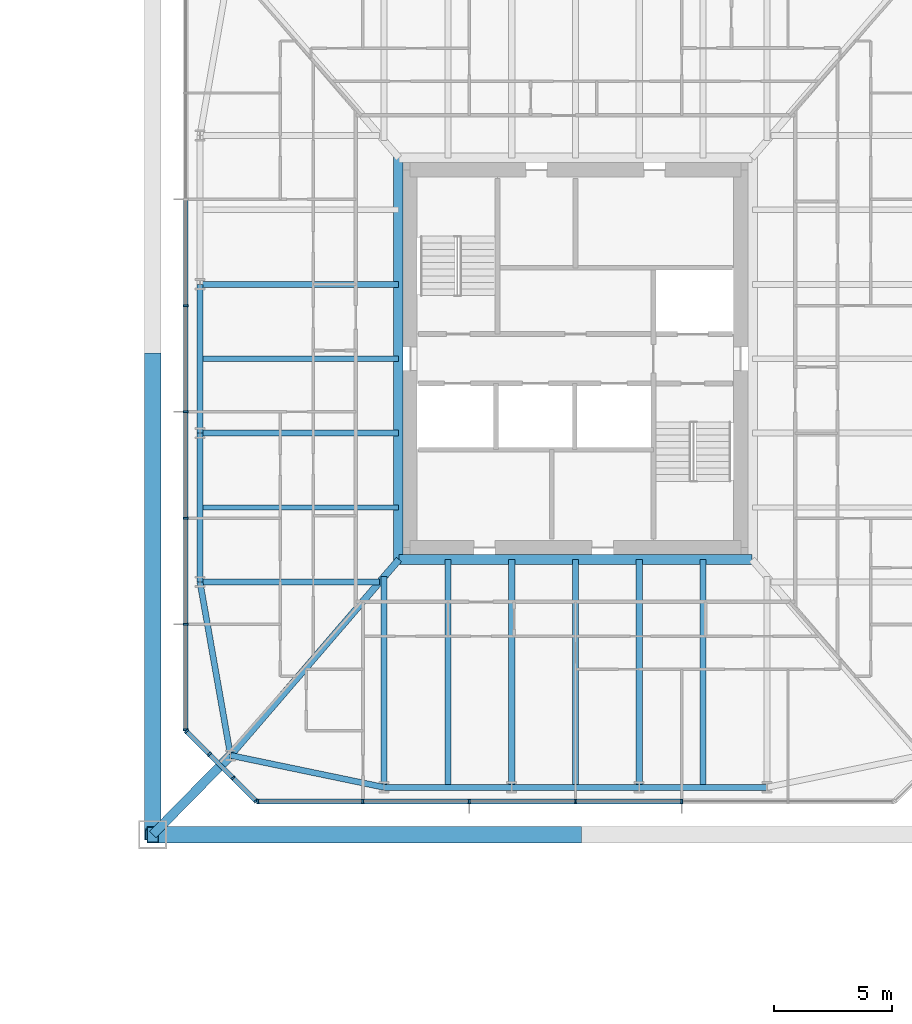
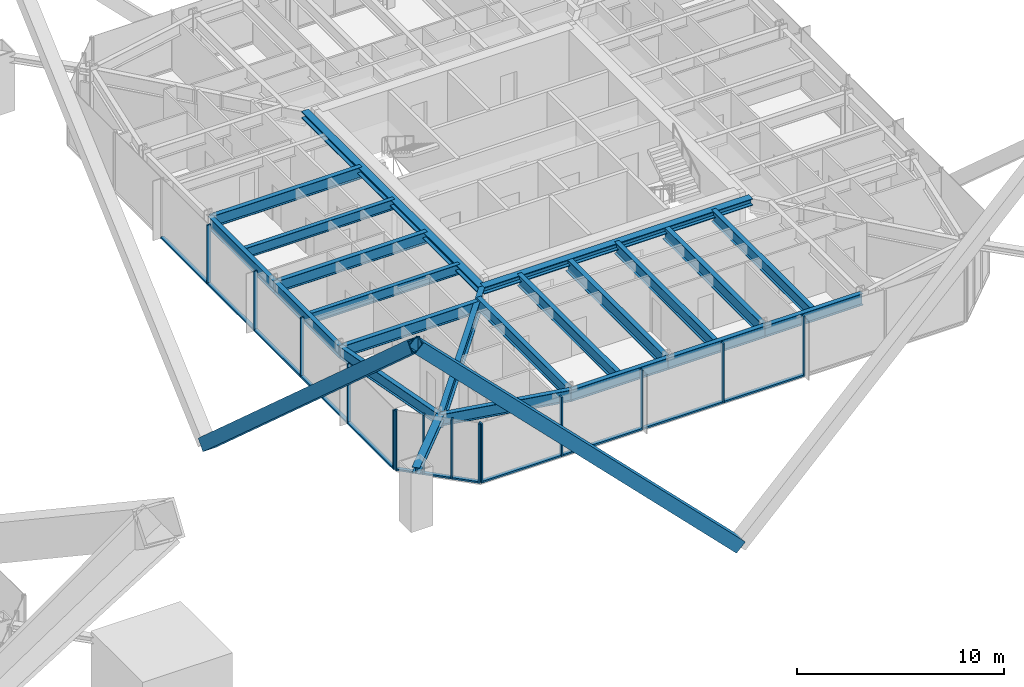
# One storey, part 9 of 27: 29 members, 21 beams, 3 elements without a shape of their own.
"""IFC4 building model written with IfcOpenShell, lengths in metres."""

from ifc_helpers import new_model, si_unit, direction, frame, origin, origin_2d, place, context, subcontext, project, spatial, rectangle, hollow_rectangle, i_section, extrude, material, material_profile, profile_set, type_object, element, aggregate, save


model = new_model("IFC4")

# Units and contexts
model_context = context("Model", 3, precision=1e-05, world=origin(), true_north=direction((0.0, 1.0)))
body_context = subcontext(model_context, "Body", "Model", "MODEL_VIEW")
ifc_project = project(units=[si_unit("LENGTHUNIT", "METRE"), si_unit("AREAUNIT", "SQUARE_METRE"), si_unit("VOLUMEUNIT", "CUBIC_METRE"), si_unit("PLANEANGLEUNIT", "RADIAN"), si_unit("MASSUNIT", "GRAM", prefix="KILO")], contexts=[model_context])

# Site, building, storey
site_placement = place(None, origin())
site = spatial("IfcSite", under=ifc_project, at=site_placement, CompositionType="ELEMENT")
building_placement = place(site_placement, origin())
building = spatial("IfcBuilding", under=site, at=building_placement, Name="Iwan Alto Co-Living Towers", CompositionType="ELEMENT")
storey_placement = place(building_placement, frame((0.0, 0.0, 25.5)))
storey = spatial("IfcBuildingStorey", under=building, at=storey_placement, Name="L06", CompositionType="ELEMENT", Elevation=25.5)

# Curtain wall, members
ifc_material_1 = material(Name="Bronze aluminium unitised frame", Category="aluminium")
curtain_wall_type_1 = type_object("IfcCurtainWallType", Name="CURTAIN WALL CW-C", PredefinedType="NOTDEFINED", material=ifc_material_1)
curtain_wall_1_placement = place(storey_placement, origin())
curtain_wall_1 = element("IfcCurtainWall", 1, at=curtain_wall_1_placement, inside=storey, type_object=curtain_wall_type_1, Name="T2 curtain wall S L06", PredefinedType="NOTDEFINED")
ifc_material_2 = material(Name="Aluminium 6063-T6 bronze anodised", Category="aluminium")
ifc_material_profile_1 = material_profile(ifc_material_2, rectangle(XDim=0.199951171875, YDim=0.080078125, at=origin_2d()), Name="AL 80X200")
ifc_profile_set_1 = profile_set([ifc_material_profile_1], Name="Aluminium 6063-T6 bronze anodised")
member_type_1 = type_object("IfcMemberType", Name="CW-C MULLION 80X200", PredefinedType="MULLION", material=ifc_profile_set_1)
member_1_placement = place(storey_placement, frame((49.5400390625, -18.75, 0.0), z_axis=(0.0, 0.0, 1.0), x_axis=(0.0, 1.0, 0.0)))
member_1 = element("IfcMember", 2, at=member_1_placement, type_object=member_type_1, Name="CW-C mullion 1", PredefinedType="MULLION", context=body_context, shape_type="SweptSolid", body=[
    extrude(rectangle(XDim=0.199951171875, YDim=0.080078125, at=origin_2d()), origin(), (0.0, 0.0, 1.0), 3.5),
])
member_2_placement = place(storey_placement, frame((54.0, -18.75, 0.0), z_axis=(0.0, 0.0, 1.0), x_axis=(0.0, 1.0, 0.0)))
member_2 = element("IfcMember", 3, at=member_2_placement, type_object=member_type_1, Name="CW-C mullion 2", PredefinedType="MULLION", context=body_context, shape_type="SweptSolid", body=[
    extrude(rectangle(XDim=0.199951171875, YDim=0.080078125, at=origin_2d()), origin(), (0.0, 0.0, 1.0), 3.5),
])
member_3_placement = place(storey_placement, frame((58.5, -18.75, 0.0), z_axis=(0.0, 0.0, 1.0), x_axis=(0.0, 1.0, 0.0)))
member_3 = element("IfcMember", 4, at=member_3_placement, type_object=member_type_1, Name="CW-C mullion 3", PredefinedType="MULLION", context=body_context, shape_type="SweptSolid", body=[
    extrude(rectangle(XDim=0.199951171875, YDim=0.080078125, at=origin_2d()), origin(), (0.0, 0.0, 1.0), 3.5),
])
member_4_placement = place(storey_placement, frame((63.0, -18.75, 0.0), z_axis=(0.0, 0.0, 1.0), x_axis=(0.0, 1.0, 0.0)))
member_4 = element("IfcMember", 5, at=member_4_placement, type_object=member_type_1, Name="CW-C mullion 4", PredefinedType="MULLION", context=body_context, shape_type="SweptSolid", body=[
    extrude(rectangle(XDim=0.199951171875, YDim=0.080078125, at=origin_2d()), origin(), (0.0, 0.0, 1.0), 3.5),
])
member_5_placement = place(storey_placement, frame((67.5, -18.75, 0.0), z_axis=(0.0, 0.0, 1.0), x_axis=(0.0, 1.0, 0.0)))
member_5 = element("IfcMember", 6, at=member_5_placement, type_object=member_type_1, Name="CW-C mullion 5", PredefinedType="MULLION", context=body_context, shape_type="SweptSolid", body=[
    extrude(rectangle(XDim=0.199951171875, YDim=0.080078125, at=origin_2d()), origin(), (0.0, 0.0, 1.0), 3.5),
])

curtain_wall_2_placement = place(storey_placement, origin())
curtain_wall_2 = element("IfcCurtainWall", 7, at=curtain_wall_2_placement, inside=storey, type_object=curtain_wall_type_1, Name="T2 curtain wall W L06", PredefinedType="NOTDEFINED")
member_6_placement = place(storey_placement, frame((46.5, 2.25, 0.0), z_axis=(0.0, 0.0, 1.0), x_axis=(1.0, 0.0, 0.0)))
member_6 = element("IfcMember", 8, at=member_6_placement, type_object=member_type_1, Name="CW-C mullion 4", PredefinedType="MULLION", context=body_context, shape_type="SweptSolid", body=[
    extrude(rectangle(XDim=0.199951171875, YDim=0.080078125, at=origin_2d()), origin(), (0.0, 0.0, 1.0), 3.5),
])
member_7_placement = place(storey_placement, frame((46.5, -2.25, 0.0), z_axis=(0.0, 0.0, 1.0), x_axis=(1.0, 0.0, 0.0)))
member_7 = element("IfcMember", 9, at=member_7_placement, type_object=member_type_1, Name="CW-C mullion 5", PredefinedType="MULLION", context=body_context, shape_type="SweptSolid", body=[
    extrude(rectangle(XDim=0.199951171875, YDim=0.080078125, at=origin_2d()), origin(), (0.0, 0.0, 1.0), 3.5),
])
member_8_placement = place(storey_placement, frame((46.5, -6.75, 0.0), z_axis=(0.0, 0.0, 1.0), x_axis=(1.0, 0.0, 0.0)))
member_8 = element("IfcMember", 10, at=member_8_placement, type_object=member_type_1, Name="CW-C mullion 6", PredefinedType="MULLION", context=body_context, shape_type="SweptSolid", body=[
    extrude(rectangle(XDim=0.199951171875, YDim=0.080078125, at=origin_2d()), origin(), (0.0, 0.0, 1.0), 3.5),
])
member_9_placement = place(storey_placement, frame((46.5, -11.25, 0.0), z_axis=(0.0, 0.0, 1.0), x_axis=(1.0, 0.0, 0.0)))
member_9 = element("IfcMember", 11, at=member_9_placement, type_object=member_type_1, Name="CW-C mullion 7", PredefinedType="MULLION", context=body_context, shape_type="SweptSolid", body=[
    extrude(rectangle(XDim=0.199951171875, YDim=0.080078125, at=origin_2d()), origin(), (0.0, 0.0, 1.0), 3.5),
])
member_10_placement = place(storey_placement, frame((46.5, -15.7099609375, 0.0), z_axis=(0.0, 0.0, 1.0), x_axis=(1.0, 0.0, 0.0)))
member_10 = element("IfcMember", 12, at=member_10_placement, type_object=member_type_1, Name="CW-C mullion 8", PredefinedType="MULLION", context=body_context, shape_type="SweptSolid", body=[
    extrude(rectangle(XDim=0.199951171875, YDim=0.080078125, at=origin_2d()), origin(), (0.0, 0.0, 1.0), 3.5),
])

# Member
ifc_material_3 = material(Name="Aluminium 6063-T6 bronze anodised", Category="aluminium")
ifc_material_profile_2 = material_profile(ifc_material_3, rectangle(XDim=0.199951171875, YDim=0.10009765625, at=origin_2d()), Name="AL 200X100")
ifc_profile_set_2 = profile_set([ifc_material_profile_2], Name="Aluminium 6063-T6 bronze anodised")
member_type_2 = type_object("IfcMemberType", Name="CW-C TRANSOM 200X100", PredefinedType="USERDEFINED", material=ifc_profile_set_2)
member_11_placement = place(storey_placement, frame((49.580078125, -18.75, 0.050048828125), z_axis=(1.0, 0.0, 0.0), x_axis=(0.0, 1.0, 0.0)))
member_11 = element("IfcMember", 13, at=member_11_placement, type_object=member_type_2, Name="CW-C transom 1.1", ObjectType="TRANSOM", PredefinedType="USERDEFINED", context=body_context, shape_type="SweptSolid", body=[
    extrude(rectangle(XDim=0.199951171875, YDim=0.10009765625, at=origin_2d()), origin(), (0.0, 0.0, 1.0), 4.3798828125),
])

member_12_placement = place(storey_placement, frame((54.0400390625, -18.75, 0.050048828125), z_axis=(1.0, 0.0, 0.0), x_axis=(0.0, 1.0, 0.0)))
member_12 = element("IfcMember", 14, at=member_12_placement, type_object=member_type_2, Name="CW-C transom 2.1", ObjectType="TRANSOM", PredefinedType="USERDEFINED", context=body_context, shape_type="SweptSolid", body=[
    extrude(rectangle(XDim=0.199951171875, YDim=0.10009765625, at=origin_2d()), origin(), (0.0, 0.0, 1.0), 4.419921875),
])

member_13_placement = place(storey_placement, frame((58.5400390625, -18.75, 0.050048828125), z_axis=(1.0, 0.0, 0.0), x_axis=(0.0, 1.0, 0.0)))
member_13 = element("IfcMember", 15, at=member_13_placement, type_object=member_type_2, Name="CW-C transom 3.1", ObjectType="TRANSOM", PredefinedType="USERDEFINED", context=body_context, shape_type="SweptSolid", body=[
    extrude(rectangle(XDim=0.199951171875, YDim=0.10009765625, at=origin_2d()), origin(), (0.0, 0.0, 1.0), 4.419921875),
])

member_14_placement = place(storey_placement, frame((63.0400390625, -18.75, 0.050048828125), z_axis=(1.0, 0.0, 0.0), x_axis=(0.0, 1.0, 0.0)))
member_14 = element("IfcMember", 16, at=member_14_placement, type_object=member_type_2, Name="CW-C transom 4.1", ObjectType="TRANSOM", PredefinedType="USERDEFINED", context=body_context, shape_type="SweptSolid", body=[
    extrude(rectangle(XDim=0.199951171875, YDim=0.10009765625, at=origin_2d()), origin(), (0.0, 0.0, 1.0), 4.419921875),
])

aggregate(curtain_wall_1, [member_1, member_2, member_3, member_4, member_5, member_11, member_12, member_13, member_14])

member_15_placement = place(storey_placement, frame((46.5, 6.7099609375, 0.050048828125), z_axis=(0.0, -1.0, 0.0), x_axis=(1.0, 0.0, 0.0)))
member_15 = element("IfcMember", 17, at=member_15_placement, type_object=member_type_2, Name="CW-C transom 3.1", ObjectType="TRANSOM", PredefinedType="USERDEFINED", context=body_context, shape_type="SweptSolid", body=[
    extrude(rectangle(XDim=0.199951171875, YDim=0.10009765625, at=origin_2d()), origin(), (0.0, 0.0, 1.0), 4.419921875),
])

member_16_placement = place(storey_placement, frame((46.5, 2.2099609375, 0.050048828125), z_axis=(0.0, -1.0, 0.0), x_axis=(1.0, 0.0, 0.0)))
member_16 = element("IfcMember", 18, at=member_16_placement, type_object=member_type_2, Name="CW-C transom 4.1", ObjectType="TRANSOM", PredefinedType="USERDEFINED", context=body_context, shape_type="SweptSolid", body=[
    extrude(rectangle(XDim=0.199951171875, YDim=0.10009765625, at=origin_2d()), origin(), (0.0, 0.0, 1.0), 4.419921875),
])

member_17_placement = place(storey_placement, frame((46.5, -2.2900390625, 0.050048828125), z_axis=(0.0, -1.0, 0.0), x_axis=(1.0, 0.0, 0.0)))
member_17 = element("IfcMember", 19, at=member_17_placement, type_object=member_type_2, Name="CW-C transom 5.1", ObjectType="TRANSOM", PredefinedType="USERDEFINED", context=body_context, shape_type="SweptSolid", body=[
    extrude(rectangle(XDim=0.199951171875, YDim=0.10009765625, at=origin_2d()), origin(), (0.0, 0.0, 1.0), 4.419921875),
])

member_18_placement = place(storey_placement, frame((46.5, -6.7900390625, 0.050048828125), z_axis=(0.0, -1.0, 0.0), x_axis=(1.0, 0.0, 0.0)))
member_18 = element("IfcMember", 20, at=member_18_placement, type_object=member_type_2, Name="CW-C transom 6.1", ObjectType="TRANSOM", PredefinedType="USERDEFINED", context=body_context, shape_type="SweptSolid", body=[
    extrude(rectangle(XDim=0.199951171875, YDim=0.10009765625, at=origin_2d()), origin(), (0.0, 0.0, 1.0), 4.419921875),
])

member_19_placement = place(storey_placement, frame((46.5, -11.2900390625, 0.050048828125), z_axis=(0.0, -1.0, 0.0), x_axis=(1.0, 0.0, 0.0)))
member_19 = element("IfcMember", 21, at=member_19_placement, type_object=member_type_2, Name="CW-C transom 7.1", ObjectType="TRANSOM", PredefinedType="USERDEFINED", context=body_context, shape_type="SweptSolid", body=[
    extrude(rectangle(XDim=0.199951171875, YDim=0.10009765625, at=origin_2d()), origin(), (0.0, 0.0, 1.0), 4.3798828125),
])

aggregate(curtain_wall_2, [member_6, member_7, member_8, member_9, member_10, member_15, member_16, member_17, member_18, member_19])

# Curtain wall, members
ifc_material_4 = material(Name="Bronze aluminium unitised frame", Category="aluminium")
curtain_wall_type_2 = type_object("IfcCurtainWallType", Name="CURTAIN WALL CW-D", PredefinedType="NOTDEFINED", material=ifc_material_4)
curtain_wall_3_placement = place(storey_placement, origin())
curtain_wall_3 = element("IfcCurtainWall", 22, at=curtain_wall_3_placement, inside=storey, type_object=curtain_wall_type_2, Name="T2 chamfer curtain wall SW L06", PredefinedType="NOTDEFINED")
ifc_material_5 = material(Name="Aluminium 6063-T6 bronze anodised", Category="aluminium")
ifc_material_profile_3 = material_profile(ifc_material_5, rectangle(XDim=0.199951171875, YDim=0.080078125, at=origin_2d()), Name="AL 80X200")
ifc_profile_set_3 = profile_set([ifc_material_profile_3], Name="Aluminium 6063-T6 bronze anodised")
member_type_3 = type_object("IfcMemberType", Name="CW-D MULLION 80X200", PredefinedType="MULLION", material=ifc_profile_set_3)
member_20_placement = place(storey_placement, frame((46.5283203125, -15.7783203125, 0.0), z_axis=(0.0, 0.0, 1.0), x_axis=(0.707106781187, 0.707106781187, 0.0)))
member_20 = element("IfcMember", 23, at=member_20_placement, type_object=member_type_3, Name="CW-D mullion 1", PredefinedType="MULLION", context=body_context, shape_type="SweptSolid", body=[
    extrude(rectangle(XDim=0.199951171875, YDim=0.080078125, at=origin_2d()), origin(), (0.0, 0.0, 1.0), 3.5),
])
member_21_placement = place(storey_placement, frame((47.5, -16.75, 0.0), z_axis=(0.0, 0.0, 1.0), x_axis=(0.707106781187, 0.707106781187, 0.0)))
member_21 = element("IfcMember", 24, at=member_21_placement, type_object=member_type_3, Name="CW-D mullion 2", PredefinedType="MULLION", context=body_context, shape_type="SweptSolid", body=[
    extrude(rectangle(XDim=0.199951171875, YDim=0.080078125, at=origin_2d()), origin(), (0.0, 0.0, 1.0), 3.5),
])
member_22_placement = place(storey_placement, frame((48.5, -17.75, 0.0), z_axis=(0.0, 0.0, 1.0), x_axis=(0.707106781187, 0.707106781187, 0.0)))
member_22 = element("IfcMember", 25, at=member_22_placement, type_object=member_type_3, Name="CW-D mullion 3", PredefinedType="MULLION", context=body_context, shape_type="SweptSolid", body=[
    extrude(rectangle(XDim=0.199951171875, YDim=0.080078125, at=origin_2d()), origin(), (0.0, 0.0, 1.0), 3.5),
])
member_23_placement = place(storey_placement, frame((49.4716796875, -18.7216796875, 0.0), z_axis=(0.0, 0.0, 1.0), x_axis=(0.707106781187, 0.707106781187, 0.0)))
member_23 = element("IfcMember", 26, at=member_23_placement, type_object=member_type_3, Name="CW-D mullion 4", PredefinedType="MULLION", context=body_context, shape_type="SweptSolid", body=[
    extrude(rectangle(XDim=0.199951171875, YDim=0.080078125, at=origin_2d()), origin(), (0.0, 0.0, 1.0), 3.5),
])
ifc_material_6 = material(Name="Aluminium 6063-T6 bronze anodised", Category="aluminium")
ifc_material_profile_4 = material_profile(ifc_material_6, rectangle(XDim=0.199951171875, YDim=0.10009765625, at=origin_2d()), Name="AL 200X100")
ifc_profile_set_4 = profile_set([ifc_material_profile_4], Name="Aluminium 6063-T6 bronze anodised")
member_type_4 = type_object("IfcMemberType", Name="CW-D TRANSOM 200X100", PredefinedType="USERDEFINED", material=ifc_profile_set_4)
member_24_placement = place(storey_placement, frame((46.556640625, -15.806640625, 0.050048828125), z_axis=(0.707106781187, -0.707106781187, 0.0), x_axis=(0.707106781187, 0.707106781187, 0.0)))
member_24 = element("IfcMember", 27, at=member_24_placement, type_object=member_type_4, Name="CW-D transom 1.1", ObjectType="TRANSOM", PredefinedType="USERDEFINED", context=body_context, shape_type="SweptSolid", body=[
    extrude(rectangle(XDim=0.199951171875, YDim=0.10009765625, at=origin_2d()), origin(), (0.0, 0.0, 1.0), 1.2939453125),
])
member_25_placement = place(storey_placement, frame((47.5283203125, -16.7783203125, 0.050048828125), z_axis=(0.707106781187, -0.707106781187, 0.0), x_axis=(0.707106781187, 0.707106781187, 0.0)))
member_25 = element("IfcMember", 28, at=member_25_placement, type_object=member_type_4, Name="CW-D transom 2.1", ObjectType="TRANSOM", PredefinedType="USERDEFINED", context=body_context, shape_type="SweptSolid", body=[
    extrude(rectangle(XDim=0.199951171875, YDim=0.10009765625, at=origin_2d()), origin(), (0.0, 0.0, 1.0), 1.334228515625),
])
member_26_placement = place(storey_placement, frame((48.5283203125, -17.7783203125, 0.050048828125), z_axis=(0.707106781187, -0.707106781187, 0.0), x_axis=(0.707106781187, 0.707106781187, 0.0)))
member_26 = element("IfcMember", 29, at=member_26_placement, type_object=member_type_4, Name="CW-D transom 3.1", ObjectType="TRANSOM", PredefinedType="USERDEFINED", context=body_context, shape_type="SweptSolid", body=[
    extrude(rectangle(XDim=0.199951171875, YDim=0.10009765625, at=origin_2d()), origin(), (0.0, 0.0, 1.0), 1.2939453125),
])
aggregate(curtain_wall_3, [member_20, member_21, member_22, member_23, member_24, member_25, member_26])

# Beams
ifc_material_7 = material(Name="Steel ASTM A992 Gr 50", Category="steel")
ifc_material_profile_5 = material_profile(ifc_material_7, i_section(OverallWidth=0.40380859375, OverallDepth=0.406494140625, WebThickness=0.027099609375, FlangeThickness=0.043701171875, at=origin_2d()), Name="W14X233")
ifc_profile_set_5 = profile_set([ifc_material_profile_5], Name="Steel ASTM A992 Gr 50")
beam_type_1 = type_object("IfcBeamType", Name="T2 CORE LEDGER BEAM W14X233", PredefinedType="BEAM", material=ifc_profile_set_5)
beam_1_placement = place(storey_placement, frame((55.5263671875, -8.501953125, 3.06689453125), z_axis=(1.0, 0.0, 0.0), x_axis=(0.0, 1.0, 0.0)))
element("IfcBeam", 30, at=beam_1_placement, inside=storey, type_object=beam_type_1, Name="T2 core ledger beam S L07", PredefinedType="BEAM", context=body_context, shape_type="SweptSolid", body=[
    extrude(i_section(OverallWidth=0.40380859375, OverallDepth=0.406494140625, WebThickness=0.027099609375, FlangeThickness=0.043701171875, at=origin_2d()), origin(), (0.0, 0.0, 1.0), 14.947265625),
])
beam_2_placement = place(storey_placement, frame((55.498046875, 8.534912109375, 3.06689453125), z_axis=(0.0, -1.0, 0.0), x_axis=(1.0, 0.0, 0.0)))
element("IfcBeam", 31, at=beam_2_placement, inside=storey, type_object=beam_type_1, Name="T2 core ledger beam W L07", PredefinedType="BEAM", context=body_context, shape_type="SweptSolid", body=[
    extrude(i_section(OverallWidth=0.40380859375, OverallDepth=0.406494140625, WebThickness=0.027099609375, FlangeThickness=0.043701171875, at=origin_2d()), origin(), (0.0, 0.0, 1.0), 17.06982421875),
])
ifc_material_8 = material(Name="Steel ASTM A992 Gr 50", Category="steel")
ifc_material_profile_6 = material_profile(ifc_material_8, i_section(OverallWidth=0.2919921875, OverallDepth=0.8408203125, WebThickness=0.0146484375, FlangeThickness=0.021728515625, at=origin_2d()), Name="W33X130")
ifc_profile_set_6 = profile_set([ifc_material_profile_6], Name="Steel ASTM A992 Gr 50")
beam_type_2 = type_object("IfcBeamType", Name="T2 CORNER GIRDER W33X130", PredefinedType="BEAM", material=ifc_profile_set_6)
beam_3_placement = place(storey_placement, frame((48.393798828125, -16.797119140625, 2.849609375), z_axis=(0.651972301827, 0.758242782788, 0.0), x_axis=(-0.758242782788, 0.651972301827, 0.0)))
element("IfcBeam", 32, at=beam_3_placement, inside=storey, type_object=beam_type_2, Name="T2 corner girder CSW L07", PredefinedType="BEAM", context=body_context, shape_type="SweptSolid", body=[
    extrude(i_section(OverallWidth=0.2919921875, OverallDepth=0.8408203125, WebThickness=0.0146484375, FlangeThickness=0.021728515625, at=origin_2d()), origin(), (0.0, 0.0, 1.0), 10.93994140625),
])
ifc_material_9 = material(Name="Steel ASTM A992 Gr 50", Category="steel")
ifc_material_profile_7 = material_profile(ifc_material_9, i_section(OverallWidth=0.25390625, OverallDepth=0.683349609375, WebThickness=0.012451171875, FlangeThickness=0.018798828125, at=origin_2d()), Name="W27X94")
ifc_profile_set_7 = profile_set([ifc_material_profile_7], Name="Steel ASTM A992 Gr 50")
beam_type_3 = type_object("IfcBeamType", Name="T2 EDGE BEAM W27X94", PredefinedType="BEAM", material=ifc_profile_set_7)
beam_4_placement = place(storey_placement, frame((48.393798828125, -16.797119140625, 2.928466796875), z_axis=(0.979060119423, -0.203571320564, 0.0), x_axis=(0.203571320564, 0.979060119423, 0.0)))
element("IfcBeam", 33, at=beam_4_placement, inside=storey, type_object=beam_type_3, Name="T2 edge beam CSW L07", PredefinedType="BEAM", context=body_context, shape_type="SweptSolid", body=[
    extrude(i_section(OverallWidth=0.25390625, OverallDepth=0.683349609375, WebThickness=0.012451171875, FlangeThickness=0.018798828125, at=origin_2d()), origin(), (0.0, 0.0, 1.0), 6.645263671875),
])
beam_5_placement = place(storey_placement, frame((54.89990234375, -18.14990234375, 2.928466796875), z_axis=(1.0, 0.0, 0.0), x_axis=(0.0, 1.0, 0.0)))
element("IfcBeam", 34, at=beam_5_placement, inside=storey, type_object=beam_type_3, Name="T2 edge beam S1 L07", PredefinedType="BEAM", context=body_context, shape_type="SweptSolid", body=[
    extrude(i_section(OverallWidth=0.25390625, OverallDepth=0.683349609375, WebThickness=0.012451171875, FlangeThickness=0.018798828125, at=origin_2d()), origin(), (0.0, 0.0, 1.0), 5.400146484375),
])
beam_6_placement = place(storey_placement, frame((60.300048828125, -18.14990234375, 2.928466796875), z_axis=(1.0, 0.0, 0.0), x_axis=(0.0, 1.0, 0.0)))
element("IfcBeam", 35, at=beam_6_placement, inside=storey, type_object=beam_type_3, Name="T2 edge beam S2 L07", PredefinedType="BEAM", context=body_context, shape_type="SweptSolid", body=[
    extrude(i_section(OverallWidth=0.25390625, OverallDepth=0.683349609375, WebThickness=0.012451171875, FlangeThickness=0.018798828125, at=origin_2d()), origin(), (0.0, 0.0, 1.0), 5.39990234375),
])
beam_7_placement = place(storey_placement, frame((65.699951171875, -18.14990234375, 2.928466796875), z_axis=(1.0, 0.0, 0.0), x_axis=(0.0, 1.0, 0.0)))
element("IfcBeam", 36, at=beam_7_placement, inside=storey, type_object=beam_type_3, Name="T2 edge beam S3 L07", PredefinedType="BEAM", context=body_context, shape_type="SweptSolid", body=[
    extrude(i_section(OverallWidth=0.25390625, OverallDepth=0.683349609375, WebThickness=0.012451171875, FlangeThickness=0.018798828125, at=origin_2d()), origin(), (0.0, 0.0, 1.0), 5.400146484375),
])
beam_8_placement = place(storey_placement, frame((47.10009765625, 3.14990234375, 2.928466796875), z_axis=(0.0, -1.0, 0.0), x_axis=(1.0, 0.0, 0.0)))
element("IfcBeam", 37, at=beam_8_placement, inside=storey, type_object=beam_type_3, Name="T2 edge beam W2 L07", PredefinedType="BEAM", context=body_context, shape_type="SweptSolid", body=[
    extrude(i_section(OverallWidth=0.25390625, OverallDepth=0.683349609375, WebThickness=0.012451171875, FlangeThickness=0.018798828125, at=origin_2d()), origin(), (0.0, 0.0, 1.0), 6.2998046875),
])
beam_9_placement = place(storey_placement, frame((47.10009765625, -3.14990234375, 2.928466796875), z_axis=(0.0, -1.0, 0.0), x_axis=(1.0, 0.0, 0.0)))
element("IfcBeam", 38, at=beam_9_placement, inside=storey, type_object=beam_type_3, Name="T2 edge beam W3 L07", PredefinedType="BEAM", context=body_context, shape_type="SweptSolid", body=[
    extrude(i_section(OverallWidth=0.25390625, OverallDepth=0.683349609375, WebThickness=0.012451171875, FlangeThickness=0.018798828125, at=origin_2d()), origin(), (0.0, 0.0, 1.0), 6.300048828125),
])
beam_10_placement = place(storey_placement, frame((47.10009765625, -9.449951171875, 2.928466796875), z_axis=(0.173413807283, -0.98484905008, 0.0), x_axis=(0.98484905008, 0.173413807283, 0.0)))
element("IfcBeam", 39, at=beam_10_placement, inside=storey, type_object=beam_type_3, Name="T2 edge beam W4 L07", PredefinedType="BEAM", context=body_context, shape_type="SweptSolid", body=[
    extrude(i_section(OverallWidth=0.25390625, OverallDepth=0.683349609375, WebThickness=0.012451171875, FlangeThickness=0.018798828125, at=origin_2d()), origin(), (0.0, 0.0, 1.0), 7.460205078125),
])

# Members
ifc_material_10 = material(Name="Steel ASTM A572 Gr 50", Category="steel")
ifc_material_profile_8 = material_profile(ifc_material_10, hollow_rectangle(XDim=0.699951171875, YDim=0.699951171875, WallThickness=0.044921875, at=origin_2d()), Name="BOX 700X700X45")
ifc_profile_set_8 = profile_set([ifc_material_profile_8], Name="Steel ASTM A572 Gr 50")
member_type_5 = type_object("IfcMemberType", Name="T2 MEGA BRACE BOX 700X700X45", PredefinedType="BRACE", material=ifc_profile_set_8)
member_27_placement = place(storey_placement, frame((63.0, -20.14990234375, -7.5), z_axis=(-0.705132454608, 0.0, 0.709075610537), x_axis=(0.0, -1.0, 0.0)))
element("IfcMember", 40, at=member_27_placement, inside=storey, type_object=member_type_5, Name="T2 mega brace Z1A S 2 upper", PredefinedType="BRACE", context=body_context, shape_type="SweptSolid", body=[
    extrude(hollow_rectangle(XDim=0.699951171875, YDim=0.699951171875, WallThickness=0.044921875, at=origin_2d()), origin(), (0.0, 0.0, 1.0), 25.38525390625),
])
member_28_placement = place(storey_placement, frame((45.10009765625, 0.0, -7.5), z_axis=(0.0, -0.745771862138, 0.666201418224), x_axis=(1.0, 0.0, 0.0)))
element("IfcMember", 41, at=member_28_placement, inside=storey, type_object=member_type_5, Name="T2 mega brace Z1A W 1 upper", PredefinedType="BRACE", context=body_context, shape_type="SweptSolid", body=[
    extrude(hollow_rectangle(XDim=0.699951171875, YDim=0.699951171875, WallThickness=0.044921875, at=origin_2d()), origin(), (0.0, 0.0, 1.0), 27.018798828125),
])
ifc_material_11 = material(Name="Steel ASTM A992 Gr 50", Category="steel")
ifc_material_profile_9 = material_profile(ifc_material_11, i_section(OverallWidth=0.393798828125, OverallDepth=0.3759765625, WebThickness=0.017333984375, FlangeThickness=0.027587890625, at=origin_2d()), Name="W14X145")
ifc_profile_set_9 = profile_set([ifc_material_profile_9], Name="Steel ASTM A992 Gr 50")
member_type_6 = type_object("IfcMemberType", Name="T2 MEGA COLUMN FLOOR TIE W14X145", PredefinedType="STRUT", material=ifc_profile_set_9)
member_29_placement = place(storey_placement, frame((45.10009765625, -20.14990234375, 3.08203125), z_axis=(0.700793469544, 0.71336422187, 0.0), x_axis=(-0.71336422187, 0.700793469544, 0.0)))
element("IfcMember", 42, at=member_29_placement, inside=storey, type_object=member_type_6, Name="T2 mega column floor tie SW L07", PredefinedType="STRUT", context=body_context, shape_type="SweptSolid", body=[
    extrude(i_section(OverallWidth=0.393798828125, OverallDepth=0.3759765625, WebThickness=0.017333984375, FlangeThickness=0.027587890625, at=origin_2d()), origin(), (0.0, 0.0, 1.0), 4.699951171875),
])

# Beams
ifc_material_12 = material(Name="Steel ASTM A992 Gr 50", Category="steel")
ifc_material_profile_10 = material_profile(ifc_material_12, i_section(OverallWidth=0.25390625, OverallDepth=0.683349609375, WebThickness=0.012451171875, FlangeThickness=0.018798828125, at=origin_2d()), Name="W27X94")
ifc_profile_set_10 = profile_set([ifc_material_profile_10], Name="Steel ASTM A992 Gr 50")
beam_type_4 = type_object("IfcBeamType", Name="T2 RADIAL BEAM W27X94", PredefinedType="BEAM", material=ifc_profile_set_10)
beam_11_placement = place(storey_placement, frame((54.89990234375, -18.14990234375, 2.928466796875), z_axis=(0.0, 1.0, 0.0), x_axis=(-1.0, 0.0, 0.0)))
element("IfcBeam", 43, at=beam_11_placement, inside=storey, type_object=beam_type_4, Name="T2 radial beam S1 L07", PredefinedType="BEAM", context=body_context, shape_type="SweptSolid", body=[
    extrude(i_section(OverallWidth=0.25390625, OverallDepth=0.683349609375, WebThickness=0.012451171875, FlangeThickness=0.018798828125, at=origin_2d()), origin(), (0.0, 0.0, 1.0), 8.91943359375),
])
for number, where, z_axis, x_axis, name in (
    (44, (47.10009765625, 3.14990234375, 2.928466796875), (1.0, 0.0, 0.0), (0.0, 1.0, 0.0), "T2 radial beam W2 L07"),
    (45, (47.10009765625, -3.14990234375, 2.928466796875), (1.0, 0.0, 0.0), (0.0, 1.0, 0.0), "T2 radial beam W3 L07"),
):
    element("IfcBeam", number, at=place(storey_placement, frame(where, z_axis=z_axis, x_axis=x_axis)), inside=storey, type_object=beam_type_4, Name=name, PredefinedType="BEAM", context=body_context, shape_type="SweptSolid", body=[
        extrude(i_section(OverallWidth=0.25390625, OverallDepth=0.683349609375, WebThickness=0.012451171875, FlangeThickness=0.018798828125, at=origin_2d()), origin(), (0.0, 0.0, 1.0), 8.39794921875),
    ])
beam_12_placement = place(storey_placement, frame((47.10009765625, -9.449951171875, 2.928466796875), z_axis=(1.0, 0.0, 0.0), x_axis=(0.0, 1.0, 0.0)))
element("IfcBeam", 46, at=beam_12_placement, inside=storey, type_object=beam_type_4, Name="T2 radial beam W4 L07", PredefinedType="BEAM", context=body_context, shape_type="SweptSolid", body=[
    extrude(i_section(OverallWidth=0.25390625, OverallDepth=0.683349609375, WebThickness=0.012451171875, FlangeThickness=0.018798828125, at=origin_2d()), origin(), (0.0, 0.0, 1.0), 7.611083984375),
])
ifc_material_13 = material(Name="Steel ASTM A992 Gr 50", Category="steel")
ifc_material_profile_11 = material_profile(ifc_material_13, i_section(OverallWidth=0.2666015625, OverallDepth=0.761962890625, WebThickness=0.014404296875, FlangeThickness=0.021484375, at=origin_2d()), Name="W30X116")
ifc_profile_set_11 = profile_set([ifc_material_profile_11], Name="Steel ASTM A992 Gr 50")
beam_type_5 = type_object("IfcBeamType", Name="T2 RADIAL BEAM W30X116", PredefinedType="BEAM", material=ifc_profile_set_11)
for number, where, z_axis, x_axis, name in (
    (47, (60.300048828125, -18.14990234375, 2.888916015625), (0.0, 1.0, 0.0), (-1.0, 0.0, 0.0), "T2 radial beam S2 L07"),
    (48, (65.699951171875, -18.14990234375, 2.888916015625), (0.0, 1.0, 0.0), (-1.0, 0.0, 0.0), "T2 radial beam S3 L07"),
):
    element("IfcBeam", number, at=place(storey_placement, frame(where, z_axis=z_axis, x_axis=x_axis)), inside=storey, type_object=beam_type_5, Name=name, PredefinedType="BEAM", context=body_context, shape_type="SweptSolid", body=[
        extrude(i_section(OverallWidth=0.2666015625, OverallDepth=0.761962890625, WebThickness=0.014404296875, FlangeThickness=0.021484375, at=origin_2d()), origin(), (0.0, 0.0, 1.0), 9.64794921875),
    ])
ifc_material_14 = material(Name="Steel ASTM A992 Gr 50", Category="steel")
ifc_material_profile_12 = material_profile(ifc_material_14, i_section(OverallWidth=0.228271484375, OverallDepth=0.607177734375, WebThickness=0.01123046875, FlangeThickness=0.017333984375, at=origin_2d()), Name="W24X76")
ifc_profile_set_12 = profile_set([ifc_material_profile_12], Name="Steel ASTM A992 Gr 50")
beam_type_6 = type_object("IfcBeamType", Name="T2 SECONDARY BEAM W24X76", PredefinedType="JOIST", material=ifc_profile_set_12)
for number, where, z_axis, x_axis, name in (
    (49, (47.10009765625, 0.0, 2.966552734375), (1.0, 0.0, 0.0), (0.0, 1.0, 0.0), "T2 secondary beam W2 L07"),
    (50, (47.10009765625, -6.300048828125, 2.966552734375), (1.0, 0.0, 0.0), (0.0, 1.0, 0.0), "T2 secondary beam W3 L07"),
):
    element("IfcBeam", number, at=place(storey_placement, frame(where, z_axis=z_axis, x_axis=x_axis)), inside=storey, type_object=beam_type_6, Name=name, PredefinedType="JOIST", context=body_context, shape_type="SweptSolid", body=[
        extrude(i_section(OverallWidth=0.228271484375, OverallDepth=0.607177734375, WebThickness=0.01123046875, FlangeThickness=0.017333984375, at=origin_2d()), origin(), (0.0, 0.0, 1.0), 8.39794921875),
    ])
ifc_material_15 = material(Name="Steel ASTM A992 Gr 50", Category="steel")
ifc_material_profile_13 = material_profile(ifc_material_15, i_section(OverallWidth=0.25390625, OverallDepth=0.683349609375, WebThickness=0.012451171875, FlangeThickness=0.018798828125, at=origin_2d()), Name="W27X94")
ifc_profile_set_13 = profile_set([ifc_material_profile_13], Name="Steel ASTM A992 Gr 50")
beam_type_7 = type_object("IfcBeamType", Name="T2 SECONDARY BEAM W27X94", PredefinedType="JOIST", material=ifc_profile_set_13)
for number, where, z_axis, x_axis, name in (
    (51, (57.60009765625, -18.14990234375, 2.928466796875), (0.0, 1.0, 0.0), (-1.0, 0.0, 0.0), "T2 secondary beam S1 L07"),
    (52, (63.0, -18.14990234375, 2.928466796875), (0.0, 1.0, 0.0), (-1.0, 0.0, 0.0), "T2 secondary beam S2 L07"),
    (53, (68.39990234375, -18.14990234375, 2.928466796875), (0.0, 1.0, 0.0), (-1.0, 0.0, 0.0), "T2 secondary beam S3 L07"),
):
    element("IfcBeam", number, at=place(storey_placement, frame(where, z_axis=z_axis, x_axis=x_axis)), inside=storey, type_object=beam_type_7, Name=name, PredefinedType="JOIST", context=body_context, shape_type="SweptSolid", body=[
        extrude(i_section(OverallWidth=0.25390625, OverallDepth=0.683349609375, WebThickness=0.012451171875, FlangeThickness=0.018798828125, at=origin_2d()), origin(), (0.0, 0.0, 1.0), 9.64794921875),
    ])

save(model, "model.ifc")
